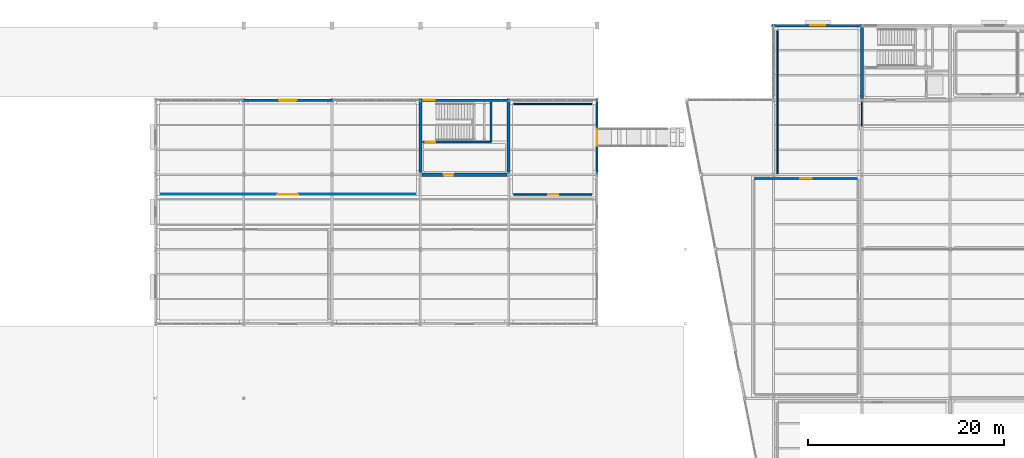
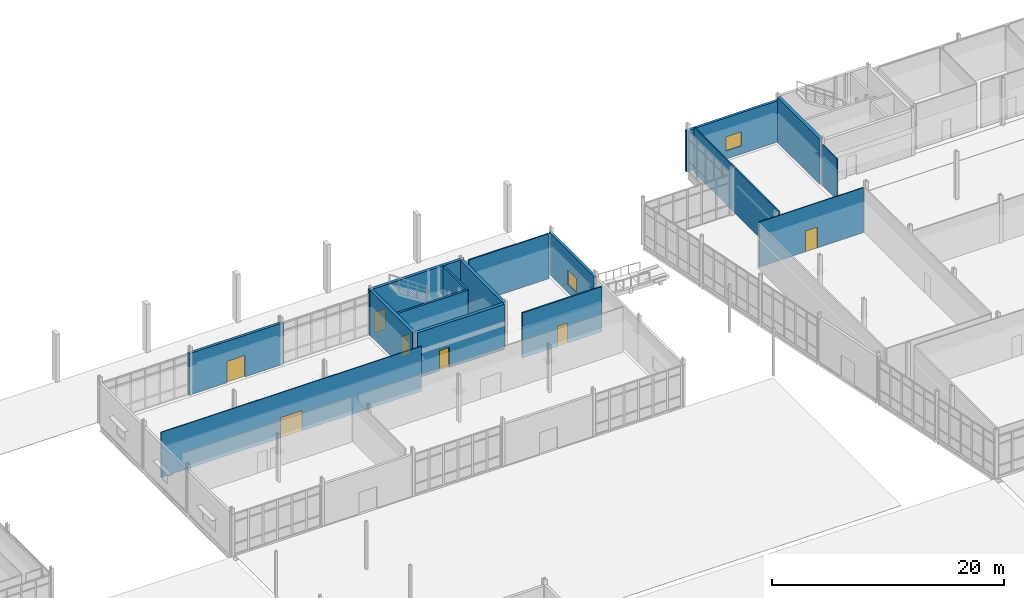
# One storey, part 147 of 161: 16 walls, 7 doors, 2 windows, 9 openings.
"""IFC4 building model written with IfcOpenShell, lengths in metres."""

import ifcopenshell
import ifcopenshell.guid

model = None  # the IFC model being written
_history = None  # IfcOwnerHistory: only IFC2X3 demands one
_inside = {}  # id of a spatial element -> (the spatial element, [elements in it])
_under = {}  # id of a project, library or spatial element -> (it, [spatial elements below it])
_declared = {}  # id of a project -> (the project, [libraries it declares])
_typed = {}  # id of a type object -> (the type object, [elements of that type])
_made_of = {}  # id of a material, layer set ... -> (it, [elements and type objects made of it])


def new_model(schema):
    """Start an empty IFC model of exactly this schema.

    Asked for "IFC4X3", IfcOpenShell would pick the latest addendum, in which some entities
    have other attributes; the version numbers below select the first issue.
    IFC2X3 requires an IfcOwnerHistory on every rooted entity: one is made here for all.
    """
    global model, _history
    if schema == "IFC4X3":
        model = ifcopenshell.file(schema_version=(4, 3, 0, 0))
    else:
        model = ifcopenshell.file(schema=schema)
    _inside.clear()
    _under.clear()
    _declared.clear()
    _typed.clear()
    _made_of.clear()
    _history = None
    if model.schema == "IFC2X3":
        org = make("IfcOrganization", Name="unknown")
        user = make(
            "IfcPersonAndOrganization",
            ThePerson=make("IfcPerson", FamilyName="unknown"),
            TheOrganization=org,
        )
        app = make(
            "IfcApplication",
            ApplicationDeveloper=org,
            Version="unknown",
            ApplicationFullName="unknown",
            ApplicationIdentifier="unknown",
        )
        _history = make(
            "IfcOwnerHistory",
            OwningUser=user,
            OwningApplication=app,
            ChangeAction="ADDED",
            CreationDate=0,
        )
    return model


def make(cls, **values):
    """One entity of the class cls with the attributes given. An attribute that is None is left unset."""
    return model.create_entity(
        cls, **{name: value for name, value in values.items() if value is not None}
    )


def rooted(cls, **values):
    """An entity with a GlobalId (a new one), such as an element, a storey or a relation."""
    return make(cls, GlobalId=ifcopenshell.guid.new(), OwnerHistory=_history, **values)


def si_unit(unit_type, name, prefix=None):
    """IfcSIUnit, for example si_unit("LENGTHUNIT", "METRE", prefix="MILLI")."""
    return make("IfcSIUnit", UnitType=unit_type, Prefix=prefix, Name=name)


def assignment(units):
    """IfcUnitAssignment: the units of a project."""
    return None if units is None else make("IfcUnitAssignment", Units=units)


def point(xyz):
    """IfcCartesianPoint."""
    return None if xyz is None else make("IfcCartesianPoint", Coordinates=xyz)


def direction(xyz):
    """IfcDirection."""
    return None if xyz is None else make("IfcDirection", DirectionRatios=xyz)


def frame(location, z_axis=None, x_axis=None):
    """IfcAxis2Placement3D, a coordinate frame: its origin and axes. An axis left out is left unset."""
    return make(
        "IfcAxis2Placement3D",
        Location=point(location),
        Axis=direction(z_axis),
        RefDirection=direction(x_axis),
    )


def frame_2d(location, x_axis=None):
    """IfcAxis2Placement2D, a coordinate frame in the plane: its origin and x axis."""
    return make(
        "IfcAxis2Placement2D", Location=point(location), RefDirection=direction(x_axis)
    )


def origin():
    """The frame at (0, 0, 0) with its axes left unset."""
    return frame((0.0, 0.0, 0.0))


def place(relative_to, where):
    """IfcLocalPlacement: puts the frame where relative to a parent placement (None: the world)."""
    return make(
        "IfcLocalPlacement", PlacementRelTo=relative_to, RelativePlacement=where
    )


def context(
    kind, dimensions, precision=None, world=None, true_north=None, identifier=None
):
    """IfcGeometricRepresentationContext, for example the 3D "Model" context."""
    return make(
        "IfcGeometricRepresentationContext",
        ContextIdentifier=identifier,
        ContextType=kind,
        CoordinateSpaceDimension=dimensions,
        Precision=precision,
        WorldCoordinateSystem=world,
        TrueNorth=true_north,
    )


def subcontext(parent, identifier, kind, view, scale=None):
    """IfcGeometricRepresentationSubContext, for example "Body" below "Model"."""
    return make(
        "IfcGeometricRepresentationSubContext",
        ContextIdentifier=identifier,
        ContextType=kind,
        ParentContext=parent,
        TargetScale=scale,
        TargetView=view,
    )


def project(units=None, contexts=None):
    """IfcProject with its units and contexts."""
    return rooted(
        "IfcProject",
        Name="project",
        RepresentationContexts=contexts,
        UnitsInContext=assignment(units),
    )


def spatial(cls, under=None, at=None, **own):
    """A site, building, storey or space (cls), placed at a placement, below another one or the project."""
    s = rooted(cls, ObjectPlacement=at, **own)
    if under is not None:
        _under.setdefault(under.id(), (under, []))[1].append(s)
    return s


def profile(cls, at=None, kind="AREA", **sizes):
    """A parametric profile (cls). Its sizes go by their IFC names, for example OverallWidth=200.0."""
    return make(cls, ProfileType=kind, Position=at, **sizes)


def rectangle(**sizes):
    """IfcRectangleProfileDef."""
    return profile("IfcRectangleProfileDef", **sizes)


def extrude(swept, where, along, depth):
    """IfcExtrudedAreaSolid: the profile swept, set in the frame where, extruded along a direction by depth."""
    return make(
        "IfcExtrudedAreaSolid",
        SweptArea=swept,
        Position=where,
        ExtrudedDirection=direction(along),
        Depth=depth,
    )


def shape(context_of_items, identifier, shape_type, items):
    """IfcShapeRepresentation: the items that make up one representation, for example the "Body"."""
    return make(
        "IfcShapeRepresentation",
        ContextOfItems=context_of_items,
        RepresentationIdentifier=identifier,
        RepresentationType=shape_type,
        Items=items,
    )


def material(Name=None, Category=None):
    """IfcMaterial."""
    return make("IfcMaterial", Name=Name, Category=Category)


def layer(
    of_material, thickness, ventilated=None, Name=None, Category=None, Priority=None
):
    """IfcMaterialLayer: one layer of a wall or slab, of a material (None: an air gap)."""
    return make(
        "IfcMaterialLayer",
        Material=of_material,
        LayerThickness=thickness,
        IsVentilated=ventilated,
        Name=Name,
        Category=Category,
        Priority=Priority,
    )


def layer_set(layers, Name=None):
    """IfcMaterialLayerSet."""
    return make("IfcMaterialLayerSet", MaterialLayers=layers, LayerSetName=Name)


def made_of(thing, what):
    """Note that an element or type object is made of a material, layer set ...; save() writes the relation."""
    if what is not None:
        _made_of.setdefault(what.id(), (what, []))[1].append(thing)
    return thing


def type_object(cls, material=None, **own):
    """A type object (cls), such as IfcWallType, which elements share."""
    return made_of(rooted(cls, **own), material)


def element(
    cls,
    number,
    at=None,
    inside=None,
    cuts=None,
    type_object=None,
    material=None,
    context=None,
    identifier="Body",
    shape_type=None,
    held_by="IfcProductDefinitionShape",
    body=None,
    shapes=None,
    **own,
):
    """One element of the class cls, such as IfcWall. Its Tag is "e" and its number.

    at: its placement. inside: the storey or other place that contains it. cuts: it is an
    opening in that element (IfcRelVoidsElement). A single representation is given by context,
    identifier, shape_type and body (its items); several are given by shapes. held_by: the class
    of the entity that holds the representations. save() writes the other relations.
    """
    e = rooted(cls, Tag="e%d" % number, ObjectPlacement=at, **own)
    if body is not None:
        shapes = [shape(context, identifier, shape_type, body)]
    if shapes is not None:
        e.Representation = make(held_by, Representations=shapes)
    if inside is not None:
        _inside.setdefault(inside.id(), (inside, []))[1].append(e)
    if cuts is not None:
        rooted(
            "IfcRelVoidsElement", RelatingBuildingElement=cuts, RelatedOpeningElement=e
        )
    if type_object is not None:
        _typed.setdefault(type_object.id(), (type_object, []))[1].append(e)
    return made_of(e, material)


def fill(opening, filler):
    """IfcRelFillsElement: the door or window that sits in an opening."""
    return rooted(
        "IfcRelFillsElement",
        RelatingOpeningElement=opening,
        RelatedBuildingElement=filler,
    )


def aggregate(whole, parts):
    """IfcRelAggregates: a whole, such as a stair, and the parts it consists of."""
    return rooted("IfcRelAggregates", RelatingObject=whole, RelatedObjects=parts)


def save(model, path):
    """Write the relations noted so far, then the file.

    IfcRelAggregates (storeys below a building ...), IfcRelContainedInSpatialStructure (elements
    in a storey), IfcRelDefinesByType, IfcRelAssociatesMaterial and IfcRelDeclares: one each for
    every whole, place, type object, material and project.
    """
    for whole, parts in _under.values():
        aggregate(whole, parts)
    for where, things in _inside.values():
        rooted(
            "IfcRelContainedInSpatialStructure",
            RelatedElements=things,
            RelatingStructure=where,
        )
    for kind, things in _typed.values():
        rooted("IfcRelDefinesByType", RelatedObjects=things, RelatingType=kind)
    for what, things in _made_of.values():
        rooted("IfcRelAssociatesMaterial", RelatedObjects=things, RelatingMaterial=what)
    for by, libraries in _declared.values():
        rooted("IfcRelDeclares", RelatingContext=by, RelatedDefinitions=libraries)
    model.write(path)


model = new_model("IFC4")

# Units and contexts
model_context = context("Model", 3, precision=1e-05, world=origin(), true_north=direction((0.0, 1.0)))
body_context = subcontext(model_context, "Body", "Model", "MODEL_VIEW")
ifc_project = project(units=[si_unit("LENGTHUNIT", "METRE"), si_unit("AREAUNIT", "SQUARE_METRE"), si_unit("VOLUMEUNIT", "CUBIC_METRE"), si_unit("PLANEANGLEUNIT", "RADIAN"), si_unit("MASSUNIT", "GRAM", prefix="KILO")], contexts=[model_context])

# Site, building, storey
site_placement = place(None, origin())
site = spatial("IfcSite", under=ifc_project, at=site_placement, CompositionType="ELEMENT")
building_placement = place(site_placement, origin())
building = spatial("IfcBuilding", under=site, at=building_placement, Name="Caisbarro Railhouse Central Library", CompositionType="ELEMENT")
storey_placement = place(building_placement, origin())
storey = spatial("IfcBuildingStorey", under=building, at=storey_placement, Name="L00", CompositionType="ELEMENT", Elevation=0.0)

# Wall
ifc_material_1 = material(Name="Concrete C40", Category="concrete")
ifc_layer_1 = layer(ifc_material_1, 0.320068359375, Name="Concrete C40")
ifc_layer_set_1 = layer_set([ifc_layer_1], Name="Concrete C40")
wall_type_1 = type_object("IfcWallType", Name="WAL-CW32", PredefinedType="SHEAR", material=ifc_layer_set_1)
wall_1_placement = place(storey_placement, frame((126.0, 106.56005859375, 0.0), z_axis=(0.0, 0.0, 1.0), x_axis=(0.0, 1.0, 0.0)))
element("IfcWall", 1, at=wall_1_placement, inside=storey, type_object=wall_type_1, Name="CW32 RC core shear wall L00 #41", PredefinedType="SHEAR", context=body_context, shape_type="SweptSolid", body=[
    extrude(rectangle(XDim=7.280029296875, YDim=0.320068359375, at=frame_2d((3.64013671875, 0.0))), origin(), (0.0, 0.0, 1.0), 4.760009765625),
])

# Wall, opening, door
wall_2_placement = place(storey_placement, frame((81.159912109375, 98.800048828125, 0.0), z_axis=(0.0, 0.0, 1.0), x_axis=(1.0, 0.0, 0.0)))
wall_2 = element("IfcWall", 2, at=wall_2_placement, inside=storey, type_object=wall_type_1, Name="CW32 RC core shear wall L00 #69", PredefinedType="SHEAR", context=body_context, shape_type="SweptSolid", body=[
    extrude(rectangle(XDim=8.68017578125, YDim=0.320068359375, at=frame_2d((4.340087890625, 0.0))), origin(), (0.0, 0.0, 1.0), 4.760009765625),
])
opening_1_placement = place(wall_2_placement, frame((2.199951171875, 0.0, 0.0)))
opening_1 = element("IfcOpeningElement", 3, at=opening_1_placement, cuts=wall_2, Name="Opening FD05", PredefinedType="OPENING", context=body_context, shape_type="SweptSolid", body=[
    extrude(rectangle(XDim=1.0, YDim=2.14990234375, at=frame_2d((0.5, 1.074951171875))), frame((0.0, 0.169921875, 0.0), z_axis=(0.0, -1.0, 0.0), x_axis=(1.0, 0.0, 0.0)), (0.0, 0.0, 1.0), 0.340087890625),
])
ifc_material_2 = material(Name="Fire-rated painted galvanised steel", Category="steel")
door_type_1 = type_object("IfcDoorType", Name="DR-FD05", OperationType="NOTDEFINED", PredefinedType="DOOR", material=ifc_material_2)
door_1_placement = place(opening_1_placement, origin())
door_1 = element("IfcDoor", 4, at=door_1_placement, inside=storey, type_object=door_type_1, Name="Core K5 Lobby Door FD05 L00-112", OperationType="SINGLE_SWING_LEFT", OverallHeight=2.14990234375, OverallWidth=1.0, PredefinedType="DOOR", context=body_context, shape_type="SweptSolid", body=[
    extrude(rectangle(XDim=1.0, YDim=2.14990234375, at=frame_2d((0.5, 1.074951171875))), frame((0.0, 0.02490234375, 0.0), z_axis=(0.0, -1.0, 0.0), x_axis=(1.0, 0.0, 0.0)), (0.0, 0.0, 1.0), 0.050048828125),
])
fill(opening_1, door_1)

# Walls
for number, where, z_axis, x_axis, name in (
    (5, (81.0, 98.9599609375, 0.0), (0.0, 0.0, 1.0), (0.0, 1.0, 0.0), "CW32 RC core shear wall L00 #70"),
    (6, (90.0, 98.9599609375, 0.0), (0.0, 0.0, 1.0), (0.0, 1.0, 0.0), "CW32 RC core shear wall L00 #71"),
):
    element("IfcWall", number, at=place(storey_placement, frame(where, z_axis=z_axis, x_axis=x_axis)), inside=storey, type_object=wall_type_1, Name=name, PredefinedType="SHEAR", context=body_context, shape_type="SweptSolid", body=[
        extrude(rectangle(XDim=7.280029296875, YDim=0.320068359375, at=frame_2d((3.64013671875, 0.0))), origin(), (0.0, 0.0, 1.0), 4.760009765625),
    ])

# Wall, opening, window
ifc_material_3 = material(Name="Concrete C35 insulated architectural precast", Category="concrete")
ifc_layer_2 = layer(ifc_material_3, 0.239990234375, Name="Concrete C35 insulated architectural precast")
ifc_layer_set_2 = layer_set([ifc_layer_2], Name="Concrete C35 insulated architectural precast")
wall_type_2 = type_object("IfcWallType", Name="WAL-EW24", PredefinedType="STANDARD", material=ifc_layer_set_2)
wall_3_placement = place(storey_placement, frame((116.7900390625, 114.0, 0.0), z_axis=(0.0, 0.0, 1.0), x_axis=(1.0, 0.0, 0.0)))
wall_3 = element("IfcWall", 7, at=wall_3_placement, inside=storey, type_object=wall_type_2, Name="EW24 exterior wall L00 #201", PredefinedType="STANDARD", context=body_context, shape_type="SweptSolid", body=[
    extrude(rectangle(XDim=9.2099609375, YDim=0.239990234375, at=frame_2d((4.60498046875, 0.0))), origin(), (0.0, 0.0, 1.0), 4.35107421875),
])
opening_2_placement = place(wall_3_placement, frame((3.93505859375, 0.0, 0.85009765625)))
opening_2 = element("IfcOpeningElement", 8, at=opening_2_placement, cuts=wall_3, Name="Opening W22", PredefinedType="OPENING", context=body_context, shape_type="SweptSolid", body=[
    extrude(rectangle(XDim=1.550048828125, YDim=1.5, at=frame_2d((0.77490234375, 0.75))), frame((0.0, 0.1298828125, 0.0), z_axis=(0.0, -1.0, 0.0), x_axis=(1.0, 0.0, 0.0)), (0.0, 0.0, 1.0), 0.260009765625),
])
ifc_material_4 = material(Name="Double low-e laminated solar-control glass", Category="glass")
window_type = type_object("IfcWindowType", Name="WIN-W22", PartitioningType="SINGLE_PANEL", PredefinedType="WINDOW", material=ifc_material_4)
window_1_placement = place(opening_2_placement, origin())
window_1 = element("IfcWindow", 9, at=window_1_placement, inside=storey, type_object=window_type, Name="W22 window L00-064", OverallHeight=1.5, OverallWidth=1.550048828125, PartitioningType="SINGLE_PANEL", PredefinedType="WINDOW", context=body_context, shape_type="SweptSolid", body=[
    extrude(rectangle(XDim=1.550048828125, YDim=1.5, at=frame_2d((0.77490234375, 0.75))), frame((0.0, 0.030029296875, 0.0), z_axis=(0.0, -1.0, 0.0), x_axis=(1.0, 0.0, 0.0)), (0.0, 0.0, 1.0), 0.06005859375),
])
fill(opening_2, window_1)

wall_4_placement = place(storey_placement, frame((99.0, 98.800048828125, 0.0), z_axis=(0.0, 0.0, 1.0), x_axis=(0.0, 1.0, 0.0)))
wall_4 = element("IfcWall", 10, at=wall_4_placement, inside=storey, type_object=wall_type_2, Name="EW24 exterior wall L00 #240", PredefinedType="STANDARD", context=body_context, shape_type="SweptSolid", body=[
    extrude(rectangle(XDim=7.81005859375, YDim=0.239990234375, at=frame_2d((3.905029296875, 0.0))), origin(), (0.0, 0.0, 1.0), 4.4208984375),
])
opening_3_placement = place(wall_4_placement, frame((3.02490234375, 0.0, 0.85009765625)))
opening_3 = element("IfcOpeningElement", 11, at=opening_3_placement, cuts=wall_4, Name="Opening W22", PredefinedType="OPENING", context=body_context, shape_type="SweptSolid", body=[
    extrude(rectangle(XDim=1.550048828125, YDim=1.5, at=frame_2d((0.77490234375, 0.75))), frame((0.0, 0.1298828125, 0.0), z_axis=(0.0, -1.0, 0.0), x_axis=(1.0, 0.0, 0.0)), (0.0, 0.0, 1.0), 0.260009765625),
])
window_2_placement = place(opening_3_placement, origin())
window_2 = element("IfcWindow", 12, at=window_2_placement, inside=storey, type_object=window_type, Name="W22 window L00-088", OverallHeight=1.5, OverallWidth=1.550048828125, PartitioningType="SINGLE_PANEL", PredefinedType="WINDOW", context=body_context, shape_type="SweptSolid", body=[
    extrude(rectangle(XDim=1.550048828125, YDim=1.5, at=frame_2d((0.77490234375, 0.75))), frame((0.0, 0.030029296875, 0.0), z_axis=(0.0, -1.0, 0.0), x_axis=(1.0, 0.0, 0.0)), (0.0, 0.0, 1.0), 0.06005859375),
])
fill(opening_3, window_2)

# Wall, opening, door
ifc_layer_3 = layer(ifc_material_3, 0.260009765625, Name="Concrete C35 insulated architectural precast")
ifc_layer_set_3 = layer_set([ifc_layer_3], Name="Concrete C35 insulated architectural precast")
wall_type_3 = type_object("IfcWallType", Name="WAL-EW26", PredefinedType="STANDARD", material=ifc_layer_set_3)
wall_5_placement = place(storey_placement, frame((62.7900390625, 106.39990234375, 0.0), z_axis=(0.0, 0.0, 1.0), x_axis=(1.0, 0.0, 0.0)))
wall_5 = element("IfcWall", 13, at=wall_5_placement, inside=storey, type_object=wall_type_3, Name="EW26 exterior wall L00 #232", PredefinedType="STANDARD", context=body_context, shape_type="SweptSolid", body=[
    extrude(rectangle(XDim=9.419921875, YDim=0.260009765625, at=frame_2d((4.7099609375, 0.0))), origin(), (0.0, 0.0, 1.0), 4.37109375),
])
opening_4_placement = place(wall_5_placement, frame((3.81005859375, 0.0, 0.0)))
opening_4 = element("IfcOpeningElement", 14, at=opening_4_placement, cuts=wall_5, Name="Opening ED01", PredefinedType="OPENING", context=body_context, shape_type="SweptSolid", body=[
    extrude(rectangle(XDim=1.800048828125, YDim=2.25, at=frame_2d((0.89990234375, 1.125))), frame((0.0, 0.14013671875, 0.0), z_axis=(0.0, -1.0, 0.0), x_axis=(1.0, 0.0, 0.0)), (0.0, 0.0, 1.0), 0.280029296875),
])
ifc_material_5 = material(Name="Thermally broken anodised aluminium and safety glass", Category="aluminium")
door_type_2 = type_object("IfcDoorType", Name="DR-ED01", OperationType="NOTDEFINED", PredefinedType="DOOR", material=ifc_material_5)
door_2_placement = place(opening_4_placement, origin())
door_2 = element("IfcDoor", 15, at=door_2_placement, inside=storey, type_object=door_type_2, Name="Exit Door ED01 L00-41", OperationType="SINGLE_SWING_RIGHT", OverallHeight=2.25, OverallWidth=1.800048828125, PredefinedType="DOOR", context=body_context, shape_type="SweptSolid", body=[
    extrude(rectangle(XDim=1.800048828125, YDim=2.25, at=frame_2d((0.89990234375, 1.125))), frame((0.0, 0.02490234375, 0.0), z_axis=(0.0, -1.0, 0.0), x_axis=(1.0, 0.0, 0.0)), (0.0, 0.0, 1.0), 0.050048828125),
])
fill(opening_4, door_2)

ifc_layer_4 = layer(ifc_material_1, 0.280029296875, Name="Concrete C40")
ifc_layer_set_4 = layer_set([ifc_layer_4], Name="Concrete C40")
wall_type_4 = type_object("IfcWallType", Name="WAL-EW28", PredefinedType="SOLIDWALL", material=ifc_layer_set_4)
wall_6_placement = place(storey_placement, frame((80.7900390625, 106.39990234375, 0.0), z_axis=(0.0, 0.0, 1.0), x_axis=(1.0, 0.0, 0.0)))
wall_6 = element("IfcWall", 16, at=wall_6_placement, inside=storey, type_object=wall_type_4, Name="EW28 exterior wall L00 #234", PredefinedType="SOLIDWALL", context=body_context, shape_type="SweptSolid", body=[
    extrude(rectangle(XDim=9.419921875, YDim=0.280029296875, at=frame_2d((4.7099609375, 0.0))), origin(), (0.0, 0.0, 1.0), 4.800048828125),
])
opening_5_placement = place(wall_6_placement, frame((0.530029296875, 0.0, 0.0)))
opening_5 = element("IfcOpeningElement", 17, at=opening_5_placement, cuts=wall_6, Name="Opening ED05", PredefinedType="OPENING", context=body_context, shape_type="SweptSolid", body=[
    extrude(rectangle(XDim=1.14990234375, YDim=2.199951171875, at=frame_2d((0.574951171875, 1.10009765625))), frame((0.0, 0.14990234375, 0.0), z_axis=(0.0, -1.0, 0.0), x_axis=(1.0, 0.0, 0.0)), (0.0, 0.0, 1.0), 0.300048828125),
])
ifc_material_6 = material(Name="Galvanised painted hollow steel", Category="steel")
door_type_3 = type_object("IfcDoorType", Name="DR-ED05", OperationType="NOTDEFINED", PredefinedType="DOOR", material=ifc_material_6)
door_3_placement = place(opening_5_placement, origin())
door_3 = element("IfcDoor", 18, at=door_3_placement, inside=storey, type_object=door_type_3, Name="Exit Door ED05 L00-43", OperationType="SINGLE_SWING_LEFT", OverallHeight=2.199951171875, OverallWidth=1.14990234375, PredefinedType="DOOR", context=body_context, shape_type="SweptSolid", body=[
    extrude(rectangle(XDim=1.14990234375, YDim=2.199951171875, at=frame_2d((0.574951171875, 1.10009765625))), frame((0.0, 0.02490234375, 0.0), z_axis=(0.0, -1.0, 0.0), x_axis=(1.0, 0.0, 0.0)), (0.0, 0.0, 1.0), 0.050048828125),
])
fill(opening_5, door_3)

ifc_material_7 = material(Name="Acoustic gypsum board on galvanised steel studs", Category="steel")
ifc_layer_5 = layer(ifc_material_7, 0.090087890625, Name="Acoustic gypsum board on galvanised steel studs")
ifc_layer_set_5 = layer_set([ifc_layer_5], Name="Acoustic gypsum board on galvanised steel studs")
wall_type_5 = type_object("IfcWallType", Name="WAL-IW09", PredefinedType="PARTITIONING", material=ifc_layer_set_5)
wall_7_placement = place(storey_placement, frame((54.52001953125, 96.800048828125, 0.0), z_axis=(0.0, 0.0, 1.0), x_axis=(1.0, 0.0, 0.0)))
wall_7 = element("IfcWall", 19, at=wall_7_placement, inside=storey, type_object=wall_type_5, Name="IW09 partition wall L00 #317", PredefinedType="PARTITIONING", context=body_context, shape_type="SweptSolid", body=[
    extrude(rectangle(XDim=25.9599609375, YDim=0.090087890625, at=frame_2d((12.97998046875, 0.0))), origin(), (0.0, 0.0, 1.0), 4.760009765625),
])
opening_6_placement = place(wall_7_placement, frame((11.905029296875, 0.0, 0.0)))
opening_6 = element("IfcOpeningElement", 20, at=opening_6_placement, cuts=wall_7, Name="Opening ID40", PredefinedType="OPENING", context=body_context, shape_type="SweptSolid", body=[
    extrude(rectangle(XDim=2.14990234375, YDim=2.14990234375, at=frame_2d((1.074951171875, 1.074951171875))), frame((0.0, 0.05517578125, 0.0), z_axis=(0.0, -1.0, 0.0), x_axis=(1.0, 0.0, 0.0)), (0.0, 0.0, 1.0), 0.110107421875),
])
ifc_material_8 = material(Name="Solid-core tropical hardwood veneer", Category="wood")
door_type_4 = type_object("IfcDoorType", Name="DR-ID40", OperationType="NOTDEFINED", PredefinedType="DOOR", material=ifc_material_8)
door_4_placement = place(opening_6_placement, origin())
door_4 = element("IfcDoor", 21, at=door_4_placement, inside=storey, type_object=door_type_4, Name="Digital Maker Studio Door ID40 L00-202", OperationType="SINGLE_SWING_RIGHT", OverallHeight=2.14990234375, OverallWidth=2.14990234375, PredefinedType="DOOR", context=body_context, shape_type="SweptSolid", body=[
    extrude(rectangle(XDim=2.14990234375, YDim=2.14990234375, at=frame_2d((1.074951171875, 1.074951171875))), frame((0.0, 0.02490234375, 0.0), z_axis=(0.0, -1.0, 0.0), x_axis=(1.0, 0.0, 0.0)), (0.0, 0.0, 1.0), 0.050048828125),
])
fill(opening_6, door_4)

wall_8_placement = place(storey_placement, frame((115.1201171875, 98.39990234375, 0.0), z_axis=(0.0, 0.0, 1.0), x_axis=(1.0, 0.0, 0.0)))
wall_8 = element("IfcWall", 22, at=wall_8_placement, inside=storey, type_object=wall_type_5, Name="IW09 partition wall L00 #325", PredefinedType="PARTITIONING", context=body_context, shape_type="SweptSolid", body=[
    extrude(rectangle(XDim=10.35986328125, YDim=0.090087890625, at=frame_2d((5.179931640625, 0.0))), origin(), (0.0, 0.0, 1.0), 4.760009765625),
])
opening_7_placement = place(wall_8_placement, frame((4.60009765625, 0.0, 0.0)))
opening_7 = element("IfcOpeningElement", 23, at=opening_7_placement, cuts=wall_8, Name="Opening ID44", PredefinedType="OPENING", context=body_context, shape_type="SweptSolid", body=[
    extrude(rectangle(XDim=1.159912109375, YDim=2.199951171875, at=frame_2d((0.580078125, 1.10009765625))), frame((0.0, 0.05517578125, 0.0), z_axis=(0.0, -1.0, 0.0), x_axis=(1.0, 0.0, 0.0)), (0.0, 0.0, 1.0), 0.110107421875),
])
door_type_5 = type_object("IfcDoorType", Name="DR-ID44", OperationType="NOTDEFINED", PredefinedType="DOOR", material=ifc_material_8)
door_5_placement = place(opening_7_placement, origin())
door_5 = element("IfcDoor", 24, at=door_5_placement, inside=storey, type_object=door_type_5, Name="Group Study Seminar Suite L00 Door ID44 L00-206", OperationType="SINGLE_SWING_RIGHT", OverallHeight=2.199951171875, OverallWidth=1.159912109375, PredefinedType="DOOR", context=body_context, shape_type="SweptSolid", body=[
    extrude(rectangle(XDim=1.159912109375, YDim=2.199951171875, at=frame_2d((0.580078125, 1.10009765625))), frame((0.0, 0.02490234375, 0.0), z_axis=(0.0, -1.0, 0.0), x_axis=(1.0, 0.0, 0.0)), (0.0, 0.0, 1.0), 0.050048828125),
])
fill(opening_7, door_5)

# Walls
ifc_layer_6 = layer(ifc_material_7, 0.110107421875, Name="Acoustic gypsum board on galvanised steel studs")
ifc_layer_set_6 = layer_set([ifc_layer_6], Name="Acoustic gypsum board on galvanised steel studs")
wall_type_6 = type_object("IfcWallType", Name="WAL-IW11", PredefinedType="PARTITIONING", material=ifc_layer_set_6)
wall_9_placement = place(storey_placement, frame((126.0, 103.719970703125, 0.0), z_axis=(0.0, 0.0, 1.0), x_axis=(0.0, 1.0, 0.0)))
element("IfcWall", 25, at=wall_9_placement, inside=storey, type_object=wall_type_6, Name="IW11 partition wall L00 #364", PredefinedType="PARTITIONING", context=body_context, shape_type="SweptSolid", body=[
    extrude(rectangle(XDim=2.56005859375, YDim=0.110107421875, at=frame_2d((1.280029296875, 0.0))), origin(), (0.0, 0.0, 1.0), 4.35107421875),
])
ifc_layer_7 = layer(ifc_material_7, 0.1298828125, Name="Acoustic gypsum board on galvanised steel studs")
ifc_layer_set_7 = layer_set([ifc_layer_7], Name="Acoustic gypsum board on galvanised steel studs")
wall_type_7 = type_object("IfcWallType", Name="WAL-IW13", PredefinedType="PARTITIONING", material=ifc_layer_set_7)
wall_10_placement = place(storey_placement, frame((90.52001953125, 106.0, 0.0), z_axis=(0.0, 0.0, 1.0), x_axis=(1.0, 0.0, 0.0)))
element("IfcWall", 26, at=wall_10_placement, inside=storey, type_object=wall_type_7, Name="IW13 partition wall L00 #319", PredefinedType="PARTITIONING", context=body_context, shape_type="SweptSolid", body=[
    extrude(rectangle(XDim=7.9599609375, YDim=0.1298828125, at=frame_2d((3.97998046875, 0.0))), origin(), (0.0, 0.0, 1.0), 4.760009765625),
])
wall_11_placement = place(storey_placement, frame((117.39990234375, 98.919921875, 0.0), z_axis=(0.0, 0.0, 1.0), x_axis=(0.0, 1.0, 0.0)))
element("IfcWall", 27, at=wall_11_placement, inside=storey, type_object=wall_type_7, Name="IW13 partition wall L00 #327", PredefinedType="PARTITIONING", context=body_context, shape_type="SweptSolid", body=[
    extrude(rectangle(XDim=14.56005859375, YDim=0.1298828125, at=frame_2d((7.280029296875, 0.0))), origin(), (0.0, 0.0, 1.0), 4.760009765625),
])

# Wall, opening, door
ifc_layer_8 = layer(ifc_material_7, 0.14990234375, Name="Acoustic gypsum board on galvanised steel studs")
ifc_layer_set_8 = layer_set([ifc_layer_8], Name="Acoustic gypsum board on galvanised steel studs")
wall_type_8 = type_object("IfcWallType", Name="WAL-IW15", PredefinedType="PARTITIONING", material=ifc_layer_set_8)
wall_12_placement = place(storey_placement, frame((90.52001953125, 96.800048828125, 0.0), z_axis=(0.0, 0.0, 1.0), x_axis=(1.0, 0.0, 0.0)))
wall_12 = element("IfcWall", 28, at=wall_12_placement, inside=storey, type_object=wall_type_8, Name="IW15 partition wall L00 #318", PredefinedType="PARTITIONING", context=body_context, shape_type="SweptSolid", body=[
    extrude(rectangle(XDim=7.9599609375, YDim=0.14990234375, at=frame_2d((3.97998046875, 0.0))), origin(), (0.0, 0.0, 1.0), 4.760009765625),
])
opening_8_placement = place(wall_12_placement, frame((3.52490234375, 0.0, 0.0)))
opening_8 = element("IfcOpeningElement", 29, at=opening_8_placement, cuts=wall_12, Name="Opening FD05", PredefinedType="OPENING", context=body_context, shape_type="SweptSolid", body=[
    extrude(rectangle(XDim=1.0, YDim=2.14990234375, at=frame_2d((0.5, 1.074951171875))), frame((0.0, 0.0849609375, 0.0), z_axis=(0.0, -1.0, 0.0), x_axis=(1.0, 0.0, 0.0)), (0.0, 0.0, 1.0), 0.169921875),
])
door_6_placement = place(opening_8_placement, origin())
door_6 = element("IfcDoor", 30, at=door_6_placement, inside=storey, type_object=door_type_1, Name="Community Meeting Room Door FD05 L00-203", OperationType="SINGLE_SWING_LEFT", OverallHeight=2.14990234375, OverallWidth=1.0, PredefinedType="DOOR", context=body_context, shape_type="SweptSolid", body=[
    extrude(rectangle(XDim=1.0, YDim=2.14990234375, at=frame_2d((0.5, 1.074951171875))), frame((0.0, 0.02490234375, 0.0), z_axis=(0.0, -1.0, 0.0), x_axis=(1.0, 0.0, 0.0)), (0.0, 0.0, 1.0), 0.050048828125),
])
fill(opening_8, door_6)

ifc_layer_9 = layer(ifc_material_1, 0.2099609375, Name="Concrete C40")
ifc_layer_set_9 = layer_set([ifc_layer_9], Name="Concrete C40")
wall_type_9 = type_object("IfcWallType", Name="WAL-SW21", PredefinedType="SOLIDWALL", material=ifc_layer_set_9)
wall_13_placement = place(storey_placement, frame((81.199951171875, 102.14990234375, 0.0), z_axis=(0.0, 0.0, 1.0), x_axis=(1.0, 0.0, 0.0)))
wall_13 = element("IfcWall", 31, at=wall_13_placement, inside=storey, type_object=wall_type_9, Name="SW21 core shaft wall L00 #135", PredefinedType="SOLIDWALL", context=body_context, shape_type="SweptSolid", body=[
    extrude(rectangle(XDim=7.0, YDim=0.2099609375, at=frame_2d((3.5, 0.0))), origin(), (0.0, 0.0, 1.0), 4.760009765625),
])
opening_9_placement = place(wall_13_placement, frame((0.35009765625, 0.0, 0.0)))
opening_9 = element("IfcOpeningElement", 32, at=opening_9_placement, cuts=wall_13, Name="Opening FD01", PredefinedType="OPENING", context=body_context, shape_type="SweptSolid", body=[
    extrude(rectangle(XDim=0.949951171875, YDim=2.1201171875, at=frame_2d((0.47509765625, 1.06005859375))), frame((0.0, 0.114990234375, 0.0), z_axis=(0.0, -1.0, 0.0), x_axis=(1.0, 0.0, 0.0)), (0.0, 0.0, 1.0), 0.22998046875),
])
door_type_6 = type_object("IfcDoorType", Name="DR-FD01", OperationType="NOTDEFINED", PredefinedType="DOOR", material=ifc_material_2)
door_7_placement = place(opening_9_placement, origin())
door_7 = element("IfcDoor", 33, at=door_7_placement, inside=storey, type_object=door_type_6, Name="Stair ST-05 Fire Door FD01 L00-111", OperationType="SINGLE_SWING_RIGHT", OverallHeight=2.1201171875, OverallWidth=0.949951171875, PredefinedType="DOOR", context=body_context, shape_type="SweptSolid", body=[
    extrude(rectangle(XDim=0.949951171875, YDim=2.1201171875, at=frame_2d((0.47509765625, 1.06005859375))), frame((0.0, 0.02490234375, 0.0), z_axis=(0.0, -1.0, 0.0), x_axis=(1.0, 0.0, 0.0)), (0.0, 0.0, 1.0), 0.050048828125),
])
fill(opening_9, door_7)

# Wall
wall_14_placement = place(storey_placement, frame((88.199951171875, 102.14990234375, 0.0), z_axis=(0.0, 0.0, 1.0), x_axis=(0.0, 1.0, 0.0)))
element("IfcWall", 34, at=wall_14_placement, inside=storey, type_object=wall_type_9, Name="SW21 core shaft wall L00 #136", PredefinedType="SOLIDWALL", context=body_context, shape_type="SweptSolid", body=[
    extrude(rectangle(XDim=4.050048828125, YDim=0.2099609375, at=frame_2d((2.02490234375, 0.0))), origin(), (0.0, 0.0, 1.0), 4.760009765625),
])

save(model, "model.ifc")
